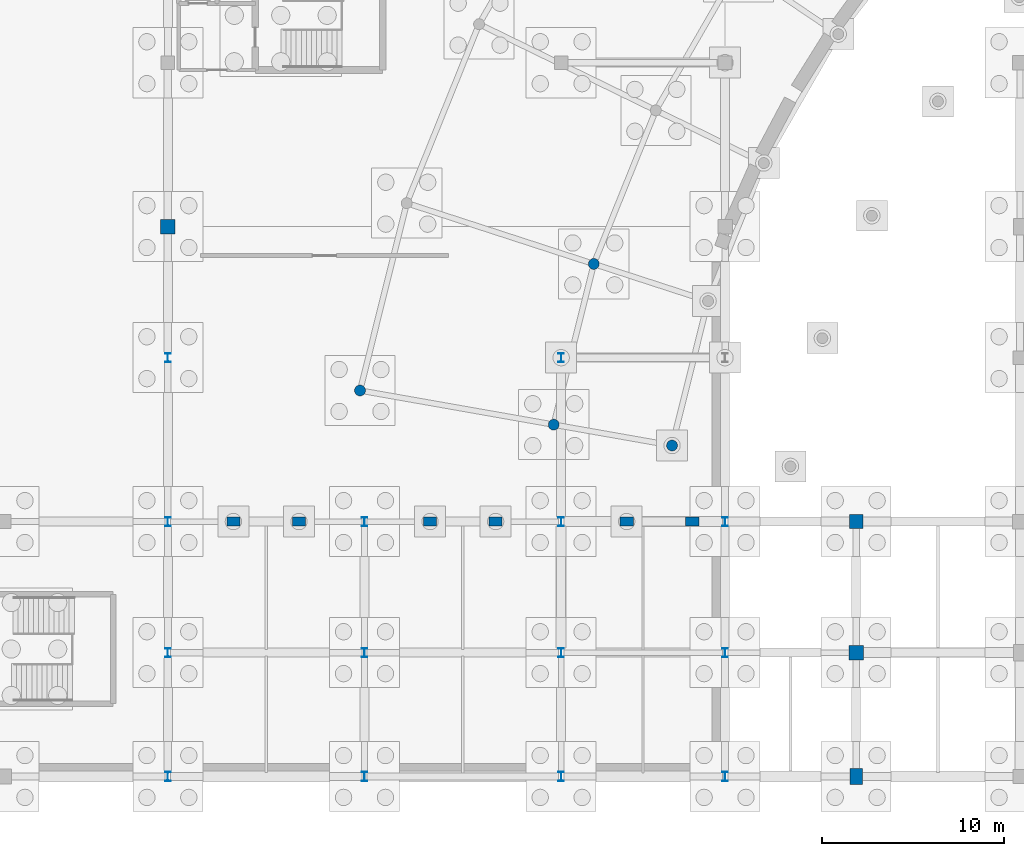
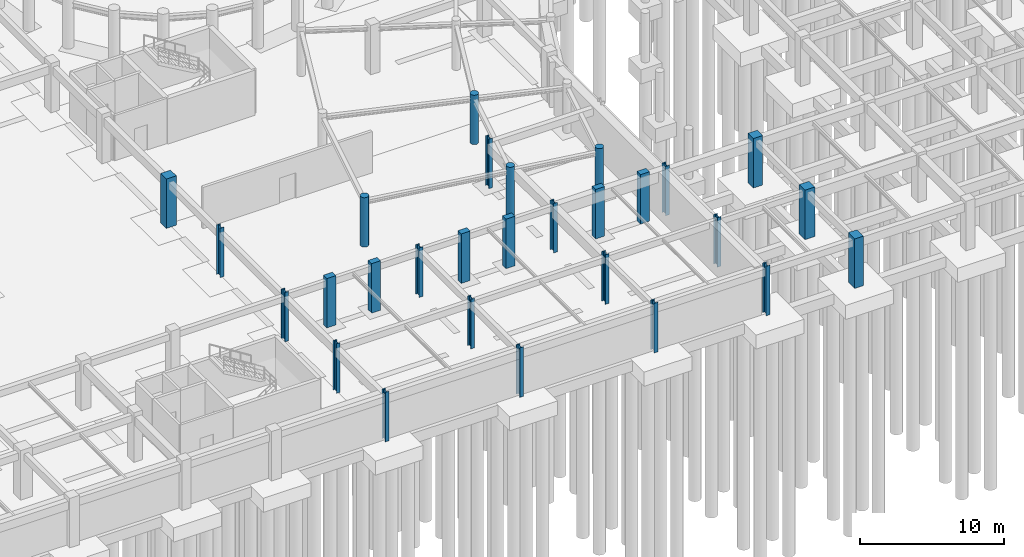
# One storey, part 13 of 42: 28 columns.
"""IFC4 building model written with IfcOpenShell, lengths in metres."""

import ifcopenshell
import ifcopenshell.guid

model = None  # the IFC model being written
_history = None  # IfcOwnerHistory: only IFC2X3 demands one
_inside = {}  # id of a spatial element -> (the spatial element, [elements in it])
_under = {}  # id of a project, library or spatial element -> (it, [spatial elements below it])
_declared = {}  # id of a project -> (the project, [libraries it declares])
_typed = {}  # id of a type object -> (the type object, [elements of that type])
_made_of = {}  # id of a material, layer set ... -> (it, [elements and type objects made of it])


def new_model(schema):
    """Start an empty IFC model of exactly this schema.

    Asked for "IFC4X3", IfcOpenShell would pick the latest addendum, in which some entities
    have other attributes; the version numbers below select the first issue.
    IFC2X3 requires an IfcOwnerHistory on every rooted entity: one is made here for all.
    """
    global model, _history
    if schema == "IFC4X3":
        model = ifcopenshell.file(schema_version=(4, 3, 0, 0))
    else:
        model = ifcopenshell.file(schema=schema)
    _inside.clear()
    _under.clear()
    _declared.clear()
    _typed.clear()
    _made_of.clear()
    _history = None
    if model.schema == "IFC2X3":
        org = make("IfcOrganization", Name="unknown")
        user = make(
            "IfcPersonAndOrganization",
            ThePerson=make("IfcPerson", FamilyName="unknown"),
            TheOrganization=org,
        )
        app = make(
            "IfcApplication",
            ApplicationDeveloper=org,
            Version="unknown",
            ApplicationFullName="unknown",
            ApplicationIdentifier="unknown",
        )
        _history = make(
            "IfcOwnerHistory",
            OwningUser=user,
            OwningApplication=app,
            ChangeAction="ADDED",
            CreationDate=0,
        )
    return model


def make(cls, **values):
    """One entity of the class cls with the attributes given. An attribute that is None is left unset."""
    return model.create_entity(
        cls, **{name: value for name, value in values.items() if value is not None}
    )


def rooted(cls, **values):
    """An entity with a GlobalId (a new one), such as an element, a storey or a relation."""
    return make(cls, GlobalId=ifcopenshell.guid.new(), OwnerHistory=_history, **values)


def si_unit(unit_type, name, prefix=None):
    """IfcSIUnit, for example si_unit("LENGTHUNIT", "METRE", prefix="MILLI")."""
    return make("IfcSIUnit", UnitType=unit_type, Prefix=prefix, Name=name)


def assignment(units):
    """IfcUnitAssignment: the units of a project."""
    return None if units is None else make("IfcUnitAssignment", Units=units)


def point(xyz):
    """IfcCartesianPoint."""
    return None if xyz is None else make("IfcCartesianPoint", Coordinates=xyz)


def direction(xyz):
    """IfcDirection."""
    return None if xyz is None else make("IfcDirection", DirectionRatios=xyz)


def frame(location, z_axis=None, x_axis=None):
    """IfcAxis2Placement3D, a coordinate frame: its origin and axes. An axis left out is left unset."""
    return make(
        "IfcAxis2Placement3D",
        Location=point(location),
        Axis=direction(z_axis),
        RefDirection=direction(x_axis),
    )


def frame_2d(location, x_axis=None):
    """IfcAxis2Placement2D, a coordinate frame in the plane: its origin and x axis."""
    return make(
        "IfcAxis2Placement2D", Location=point(location), RefDirection=direction(x_axis)
    )


def origin():
    """The frame at (0, 0, 0) with its axes left unset."""
    return frame((0.0, 0.0, 0.0))


def origin_2d():
    """The frame at (0, 0) in the plane with its x axis left unset."""
    return frame_2d((0.0, 0.0))


def place(relative_to, where):
    """IfcLocalPlacement: puts the frame where relative to a parent placement (None: the world)."""
    return make(
        "IfcLocalPlacement", PlacementRelTo=relative_to, RelativePlacement=where
    )


def context(
    kind, dimensions, precision=None, world=None, true_north=None, identifier=None
):
    """IfcGeometricRepresentationContext, for example the 3D "Model" context."""
    return make(
        "IfcGeometricRepresentationContext",
        ContextIdentifier=identifier,
        ContextType=kind,
        CoordinateSpaceDimension=dimensions,
        Precision=precision,
        WorldCoordinateSystem=world,
        TrueNorth=true_north,
    )


def subcontext(parent, identifier, kind, view, scale=None):
    """IfcGeometricRepresentationSubContext, for example "Body" below "Model"."""
    return make(
        "IfcGeometricRepresentationSubContext",
        ContextIdentifier=identifier,
        ContextType=kind,
        ParentContext=parent,
        TargetScale=scale,
        TargetView=view,
    )


def project(units=None, contexts=None):
    """IfcProject with its units and contexts."""
    return rooted(
        "IfcProject",
        Name="project",
        RepresentationContexts=contexts,
        UnitsInContext=assignment(units),
    )


def spatial(cls, under=None, at=None, **own):
    """A site, building, storey or space (cls), placed at a placement, below another one or the project."""
    s = rooted(cls, ObjectPlacement=at, **own)
    if under is not None:
        _under.setdefault(under.id(), (under, []))[1].append(s)
    return s


def profile(cls, at=None, kind="AREA", **sizes):
    """A parametric profile (cls). Its sizes go by their IFC names, for example OverallWidth=200.0."""
    return make(cls, ProfileType=kind, Position=at, **sizes)


def rectangle(**sizes):
    """IfcRectangleProfileDef."""
    return profile("IfcRectangleProfileDef", **sizes)


def circle(**sizes):
    """IfcCircleProfileDef."""
    return profile("IfcCircleProfileDef", **sizes)


def i_section(**sizes):
    """IfcIShapeProfileDef."""
    return profile("IfcIShapeProfileDef", **sizes)


def extrude(swept, where, along, depth):
    """IfcExtrudedAreaSolid: the profile swept, set in the frame where, extruded along a direction by depth."""
    return make(
        "IfcExtrudedAreaSolid",
        SweptArea=swept,
        Position=where,
        ExtrudedDirection=direction(along),
        Depth=depth,
    )


def shape(context_of_items, identifier, shape_type, items):
    """IfcShapeRepresentation: the items that make up one representation, for example the "Body"."""
    return make(
        "IfcShapeRepresentation",
        ContextOfItems=context_of_items,
        RepresentationIdentifier=identifier,
        RepresentationType=shape_type,
        Items=items,
    )


def material(Name=None, Category=None):
    """IfcMaterial."""
    return make("IfcMaterial", Name=Name, Category=Category)


def material_profile(
    of_material, cross_section, Name=None, Category=None, Priority=None
):
    """IfcMaterialProfile: a cross section and its material."""
    return make(
        "IfcMaterialProfile",
        Name=Name,
        Material=of_material,
        Profile=cross_section,
        Priority=Priority,
        Category=Category,
    )


def profile_set(profiles, Name=None, composite=None):
    """IfcMaterialProfileSet."""
    return make(
        "IfcMaterialProfileSet",
        Name=Name,
        MaterialProfiles=profiles,
        CompositeProfile=composite,
    )


def made_of(thing, what):
    """Note that an element or type object is made of a material, layer set ...; save() writes the relation."""
    if what is not None:
        _made_of.setdefault(what.id(), (what, []))[1].append(thing)
    return thing


def type_object(cls, material=None, **own):
    """A type object (cls), such as IfcWallType, which elements share."""
    return made_of(rooted(cls, **own), material)


def element(
    cls,
    number,
    at=None,
    inside=None,
    cuts=None,
    type_object=None,
    material=None,
    context=None,
    identifier="Body",
    shape_type=None,
    held_by="IfcProductDefinitionShape",
    body=None,
    shapes=None,
    **own,
):
    """One element of the class cls, such as IfcWall. Its Tag is "e" and its number.

    at: its placement. inside: the storey or other place that contains it. cuts: it is an
    opening in that element (IfcRelVoidsElement). A single representation is given by context,
    identifier, shape_type and body (its items); several are given by shapes. held_by: the class
    of the entity that holds the representations. save() writes the other relations.
    """
    e = rooted(cls, Tag="e%d" % number, ObjectPlacement=at, **own)
    if body is not None:
        shapes = [shape(context, identifier, shape_type, body)]
    if shapes is not None:
        e.Representation = make(held_by, Representations=shapes)
    if inside is not None:
        _inside.setdefault(inside.id(), (inside, []))[1].append(e)
    if cuts is not None:
        rooted(
            "IfcRelVoidsElement", RelatingBuildingElement=cuts, RelatedOpeningElement=e
        )
    if type_object is not None:
        _typed.setdefault(type_object.id(), (type_object, []))[1].append(e)
    return made_of(e, material)


def aggregate(whole, parts):
    """IfcRelAggregates: a whole, such as a stair, and the parts it consists of."""
    return rooted("IfcRelAggregates", RelatingObject=whole, RelatedObjects=parts)


def save(model, path):
    """Write the relations noted so far, then the file.

    IfcRelAggregates (storeys below a building ...), IfcRelContainedInSpatialStructure (elements
    in a storey), IfcRelDefinesByType, IfcRelAssociatesMaterial and IfcRelDeclares: one each for
    every whole, place, type object, material and project.
    """
    for whole, parts in _under.values():
        aggregate(whole, parts)
    for where, things in _inside.values():
        rooted(
            "IfcRelContainedInSpatialStructure",
            RelatedElements=things,
            RelatingStructure=where,
        )
    for kind, things in _typed.values():
        rooted("IfcRelDefinesByType", RelatedObjects=things, RelatingType=kind)
    for what, things in _made_of.values():
        rooted("IfcRelAssociatesMaterial", RelatedObjects=things, RelatingMaterial=what)
    for by, libraries in _declared.values():
        rooted("IfcRelDeclares", RelatingContext=by, RelatedDefinitions=libraries)
    model.write(path)


model = new_model("IFC4")

# Units and contexts
model_context = context("Model", 3, precision=1e-05, world=origin(), true_north=direction((0.0, 1.0)))
body_context = subcontext(model_context, "Body", "Model", "MODEL_VIEW")
ifc_project = project(units=[si_unit("LENGTHUNIT", "METRE"), si_unit("AREAUNIT", "SQUARE_METRE"), si_unit("VOLUMEUNIT", "CUBIC_METRE"), si_unit("PLANEANGLEUNIT", "RADIAN"), si_unit("MASSUNIT", "GRAM", prefix="KILO")], contexts=[model_context])

# Site, building, storey
site_placement = place(None, origin())
site = spatial("IfcSite", under=ifc_project, at=site_placement, CompositionType="ELEMENT")
building_placement = place(site_placement, origin())
building = spatial("IfcBuilding", under=site, at=building_placement, Name="Clarverna Civic Hall", CompositionType="ELEMENT")
storey_placement = place(building_placement, frame((0.0, 0.0, -4.199951171875)))
storey = spatial("IfcBuildingStorey", under=building, at=storey_placement, Name="B01", CompositionType="ELEMENT", Elevation=-4.199951171875)

# Columns
ifc_material_1 = material(Name="Concrete C35/45", Category="concrete")
ifc_material_profile_1 = material_profile(ifc_material_1, circle(Radius=0.300048828125, at=origin_2d()), Name="RC D600")
ifc_profile_set_1 = profile_set([ifc_material_profile_1], Name="Concrete C35/45")
column_type_1 = type_object("IfcColumnType", Name="C-CV1", PredefinedType="COLUMN", material=ifc_profile_set_1)
for number, where, z_axis, x_axis, name in (
    (1, (89.9912109375, 28.14794921875, 0.0), (0.0, 0.0, 1.0), (1.0, 0.0, 0.0), "C-CV1-017"),
    (2, (87.79052734375, 19.322021484375, 0.0), (0.0, 0.0, 1.0), (1.0, 0.0, 0.0), "C-CV1-019"),
    (3, (77.154541015625, 21.197265625, 0.0), (0.0, 0.0, 1.0), (1.0, 0.0, 0.0), "C-CV1-037"),
    (4, (94.290283203125, 18.17578125, 0.0), (0.0, 0.0, 1.0), (1.0, 0.0, 0.0), "C-CV1-057"),
):
    element("IfcColumn", number, at=place(storey_placement, frame(where, z_axis=z_axis, x_axis=x_axis)), inside=storey, type_object=column_type_1, Name=name, PredefinedType="COLUMN", context=body_context, shape_type="SweptSolid", body=[
        extrude(circle(Radius=0.300048828125, at=origin_2d()), origin(), (0.0, 0.0, 1.0), 4.199951171875),
    ])
ifc_material_2 = material(Name="Precast concrete C40/50", Category="concrete")
ifc_material_profile_2 = material_profile(ifc_material_2, rectangle(XDim=0.719970703125, YDim=0.47998046875, at=origin_2d()), Name="PILASTER 720x480")
ifc_profile_set_2 = profile_set([ifc_material_profile_2], Name="Precast concrete C40/50")
column_type_2 = type_object("IfcColumnType", Name="C-PL3", PredefinedType="PILASTER", material=ifc_profile_set_2)
for number, where, z_axis, x_axis, name in (
    (5, (70.199951171875, 14.0, 0.0), (0.0, 0.0, 1.0), (1.0, 0.0, 0.0), "C-PL3-001"),
    (6, (73.800048828125, 14.0, 0.0), (0.0, 0.0, 1.0), (1.0, 0.0, 0.0), "C-PL3-003"),
    (7, (81.0, 14.0, 0.0), (0.0, 0.0, 1.0), (1.0, 0.0, 0.0), "C-PL3-005"),
    (8, (84.60009765625, 14.0, 0.0), (0.0, 0.0, 1.0), (1.0, 0.0, 0.0), "C-PL3-007"),
    (9, (91.800048828125, 14.0, 0.0), (0.0, 0.0, 1.0), (1.0, 0.0, 0.0), "C-PL3-009"),
    (10, (95.39990234375, 14.0, 0.0), (0.0, 0.0, 1.0), (1.0, 0.0, 0.0), "C-PL3-011"),
):
    element("IfcColumn", number, at=place(storey_placement, frame(where, z_axis=z_axis, x_axis=x_axis)), inside=storey, type_object=column_type_2, Name=name, PredefinedType="PILASTER", context=body_context, shape_type="SweptSolid", body=[
        extrude(rectangle(XDim=0.719970703125, YDim=0.47998046875, at=origin_2d()), origin(), (0.0, 0.0, 1.0), 4.199951171875),
    ])
ifc_material_3 = material(Name="Concrete C40/50", Category="concrete")
ifc_material_profile_3 = material_profile(ifc_material_3, rectangle(XDim=0.800048828125, YDim=0.800048828125, at=origin_2d()), Name="RC 800x800")
ifc_profile_set_3 = profile_set([ifc_material_profile_3], Name="Concrete C40/50")
column_type_3 = type_object("IfcColumnType", Name="C-RC4", PredefinedType="COLUMN", material=ifc_profile_set_3)
for number, where, z_axis, x_axis, name in (
    (11, (66.60009765625, 30.199951171875, 0.0), (0.0, 0.0, 1.0), (1.0, 0.0, 0.0), "C-RC4-038"),
    (12, (104.39990234375, 6.800048828125, 0.0), (0.0, 0.0, 1.0), (1.0, 0.0, 0.0), "C-RC4-047"),
):
    element("IfcColumn", number, at=place(storey_placement, frame(where, z_axis=z_axis, x_axis=x_axis)), inside=storey, type_object=column_type_3, Name=name, PredefinedType="COLUMN", context=body_context, shape_type="SweptSolid", body=[
        extrude(rectangle(XDim=0.800048828125, YDim=0.800048828125, at=origin_2d()), origin(), (0.0, 0.0, 1.0), 4.199951171875),
    ])
ifc_material_profile_4 = material_profile(ifc_material_3, rectangle(XDim=0.75, YDim=0.75, at=origin_2d()), Name="RC 750x750")
ifc_profile_set_4 = profile_set([ifc_material_profile_4], Name="Concrete C40/50")
column_type_4 = type_object("IfcColumnType", Name="C-RC5", PredefinedType="COLUMN", material=ifc_profile_set_4)
column_1_placement = place(storey_placement, frame((104.39990234375, 14.0, 0.0), z_axis=(0.0, 0.0, 1.0), x_axis=(1.0, 0.0, 0.0)))
element("IfcColumn", 13, at=column_1_placement, inside=storey, type_object=column_type_4, Name="C-RC5-048", PredefinedType="COLUMN", context=body_context, shape_type="SweptSolid", body=[
    extrude(rectangle(XDim=0.75, YDim=0.75, at=origin_2d()), origin(), (0.0, 0.0, 1.0), 4.199951171875),
])
ifc_material_profile_5 = material_profile(ifc_material_3, rectangle(XDim=0.699951171875, YDim=0.89990234375, at=origin_2d()), Name="RC 700x900")
ifc_profile_set_5 = profile_set([ifc_material_profile_5], Name="Concrete C40/50")
column_type_5 = type_object("IfcColumnType", Name="C-RC6", PredefinedType="COLUMN", material=ifc_profile_set_5)
column_2_placement = place(storey_placement, frame((104.39990234375, 0.0, 0.0), z_axis=(0.0, 0.0, 1.0), x_axis=(1.0, 0.0, 0.0)))
element("IfcColumn", 14, at=column_2_placement, inside=storey, type_object=column_type_5, Name="C-RC6-078", PredefinedType="COLUMN", context=body_context, shape_type="SweptSolid", body=[
    extrude(rectangle(XDim=0.699951171875, YDim=0.89990234375, at=origin_2d()), origin(), (0.0, 0.0, 1.0), 4.199951171875),
])
ifc_material_4 = material(Name="Steel S355", Category="steel")
ifc_material_profile_6 = material_profile(ifc_material_4, i_section(OverallWidth=0.300048828125, OverallDepth=0.5, WebThickness=0.014404296875, FlangeThickness=0.028076171875, FilletRadius=0.027099609375, at=origin_2d()), Name="HEB 500")
ifc_profile_set_6 = profile_set([ifc_material_profile_6], Name="Steel S355")
column_type_6 = type_object("IfcColumnType", Name="C-ST1", PredefinedType="COLUMN", material=ifc_profile_set_6)
for number, where, z_axis, x_axis, name in (
    (15, (66.60009765625, 0.0, 0.0), (0.0, 0.0, 1.0), (1.0, 0.0, 0.0), "C-ST1-001"),
    (16, (66.60009765625, 6.800048828125, 0.0), (0.0, 0.0, 1.0), (1.0, 0.0, 0.0), "C-ST1-002"),
    (17, (66.60009765625, 14.0, 0.0), (0.0, 0.0, 1.0), (1.0, 0.0, 0.0), "C-ST1-003"),
    (18, (66.60009765625, 23.0, 0.0), (0.0, 0.0, 1.0), (1.0, 0.0, 0.0), "C-ST1-004"),
    (19, (77.39990234375, 0.0, 0.0), (0.0, 0.0, 1.0), (1.0, 0.0, 0.0), "C-ST1-005"),
    (20, (77.39990234375, 6.800048828125, 0.0), (0.0, 0.0, 1.0), (1.0, 0.0, 0.0), "C-ST1-006"),
    (21, (77.39990234375, 14.0, 0.0), (0.0, 0.0, 1.0), (1.0, 0.0, 0.0), "C-ST1-007"),
    (22, (88.199951171875, 0.0, 0.0), (0.0, 0.0, 1.0), (1.0, 0.0, 0.0), "C-ST1-008"),
    (23, (88.199951171875, 6.800048828125, 0.0), (0.0, 0.0, 1.0), (1.0, 0.0, 0.0), "C-ST1-009"),
    (24, (88.199951171875, 14.0, 0.0), (0.0, 0.0, 1.0), (1.0, 0.0, 0.0), "C-ST1-010"),
    (25, (88.199951171875, 23.0, 0.0), (0.0, 0.0, 1.0), (1.0, 0.0, 0.0), "C-ST1-011"),
    (26, (97.199951171875, 0.0, 0.0), (0.0, 0.0, 1.0), (1.0, 0.0, 0.0), "C-ST1-012"),
    (27, (97.199951171875, 6.800048828125, 0.0), (0.0, 0.0, 1.0), (1.0, 0.0, 0.0), "C-ST1-013"),
    (28, (97.199951171875, 14.0, 0.0), (0.0, 0.0, 1.0), (1.0, 0.0, 0.0), "C-ST1-014"),
):
    element("IfcColumn", number, at=place(storey_placement, frame(where, z_axis=z_axis, x_axis=x_axis)), inside=storey, type_object=column_type_6, Name=name, PredefinedType="COLUMN", context=body_context, shape_type="SweptSolid", body=[
        extrude(i_section(OverallWidth=0.300048828125, OverallDepth=0.5, WebThickness=0.014404296875, FlangeThickness=0.028076171875, FilletRadius=0.027099609375, at=origin_2d()), origin(), (0.0, 0.0, 1.0), 4.199951171875),
    ])

save(model, "model.ifc")
